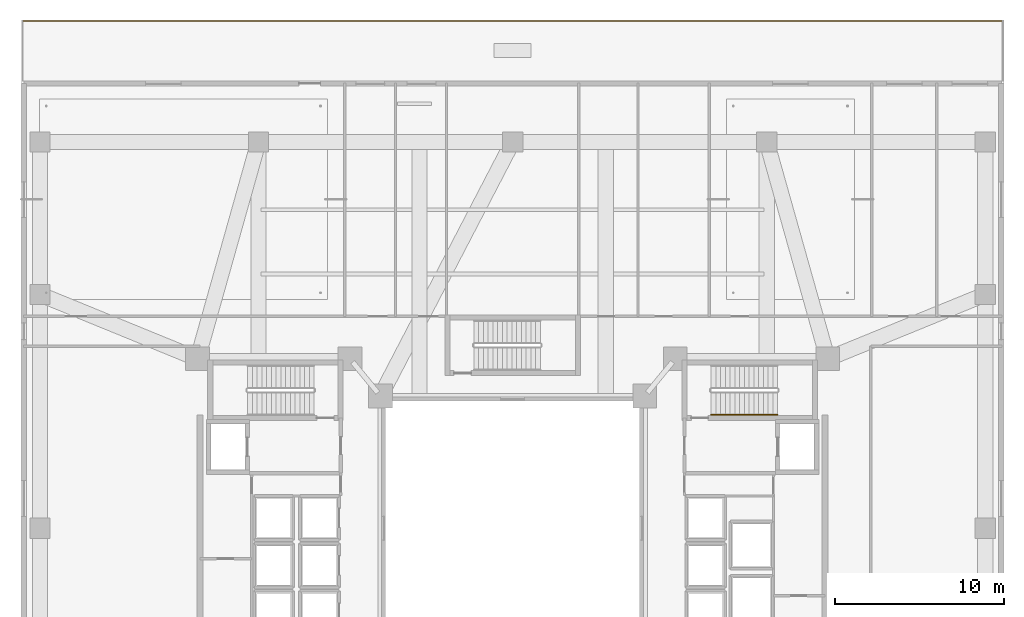
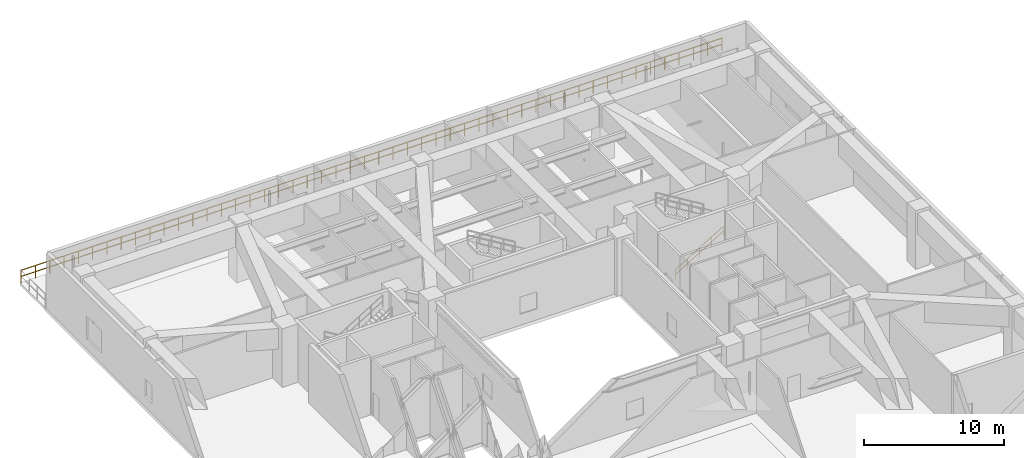
# One storey, part 20 of 21: 2 railings.
"""IFC4 building model written with IfcOpenShell, lengths in metres."""

from ifc_helpers import new_model, si_unit, direction, frame, origin, origin_2d, place, context, subcontext, project, spatial, circle, extrude, material, type_object, element, save


model = new_model("IFC4")

# Units and contexts
model_context = context("Model", 3, precision=1e-05, world=origin(), true_north=direction((0.0, 1.0)))
body_context = subcontext(model_context, "Body", "Model", "MODEL_VIEW")
ifc_project = project(units=[si_unit("LENGTHUNIT", "METRE"), si_unit("AREAUNIT", "SQUARE_METRE"), si_unit("VOLUMEUNIT", "CUBIC_METRE"), si_unit("PLANEANGLEUNIT", "RADIAN"), si_unit("MASSUNIT", "GRAM", prefix="KILO")], contexts=[model_context])

# Site, building, storey
site_placement = place(None, origin())
site = spatial("IfcSite", under=ifc_project, at=site_placement, CompositionType="ELEMENT")
building_placement = place(site_placement, origin())
building = spatial("IfcBuilding", under=site, at=building_placement, Name="Tarnavaz Court Tower", CompositionType="ELEMENT")
storey_placement = place(building_placement, frame((0.0, 0.0, 18.89990234375)))
storey = spatial("IfcBuildingStorey", under=building, at=storey_placement, Name="L04", CompositionType="ELEMENT", Elevation=18.89990234375)

# Railings
ifc_material_1 = material(Name="Anodised Aluminium 6063-T6 and Laminated Safety Glass", Category="aluminium")
railing_type_1 = type_object("IfcRailingType", Name="RL-BAL-1120", PredefinedType="BALUSTRADE", material=ifc_material_1)
railing_1_placement = place(storey_placement, frame((28.93994140625, 29.93994140625, 0.0)))
element("IfcRailing", 1, at=railing_1_placement, inside=storey, type_object=railing_type_1, Name="L04 Terrace 1 N Perimeter Balustrade", PredefinedType="BALUSTRADE", context=body_context, shape_type="SweptSolid", body=[
    extrude(circle(Radius=0.02392578125, at=origin_2d()), frame((0.0, 0.0, 1.09619140625), z_axis=(-1.0, 0.0, 0.0), x_axis=(0.0, -1.0, 0.0)), (0.0, 0.0, 1.0), 57.8798828125),
    extrude(circle(Radius=0.02392578125, at=origin_2d()), frame((0.0, 0.0, 0.56005859375), z_axis=(-1.0, 0.0, 0.0), x_axis=(0.0, -1.0, 0.0)), (0.0, 0.0, 1.0), 57.8798828125),
    extrude(circle(Radius=0.02099609375, at=origin_2d()), origin(), (0.0, 0.0, 1.0), 1.072021484375),
    extrude(circle(Radius=0.02099609375, at=origin_2d()), frame((-1.18115234375, 0.0, 0.0)), (0.0, 0.0, 1.0), 1.072021484375),
    extrude(circle(Radius=0.02099609375, at=origin_2d()), frame((-2.362548828125, 0.0, 0.0)), (0.0, 0.0, 1.0), 1.072021484375),
    extrude(circle(Radius=0.02099609375, at=origin_2d()), frame((-3.543701171875, 0.0, 0.0)), (0.0, 0.0, 1.0), 1.072021484375),
    extrude(circle(Radius=0.02099609375, at=origin_2d()), frame((-4.724853515625, 0.0, 0.0)), (0.0, 0.0, 1.0), 1.072021484375),
    extrude(circle(Radius=0.02099609375, at=origin_2d()), frame((-5.906005859375, 0.0, 0.0)), (0.0, 0.0, 1.0), 1.072021484375),
    extrude(circle(Radius=0.02099609375, at=origin_2d()), frame((-7.08740234375, 0.0, 0.0)), (0.0, 0.0, 1.0), 1.072021484375),
    extrude(circle(Radius=0.02099609375, at=origin_2d()), frame((-8.2685546875, 0.0, 0.0)), (0.0, 0.0, 1.0), 1.072021484375),
    extrude(circle(Radius=0.02099609375, at=origin_2d()), frame((-9.44970703125, 0.0, 0.0)), (0.0, 0.0, 1.0), 1.072021484375),
    extrude(circle(Radius=0.02099609375, at=origin_2d()), frame((-10.631103515625, 0.0, 0.0)), (0.0, 0.0, 1.0), 1.072021484375),
    extrude(circle(Radius=0.02099609375, at=origin_2d()), frame((-11.812255859375, 0.0, 0.0)), (0.0, 0.0, 1.0), 1.072021484375),
    extrude(circle(Radius=0.02099609375, at=origin_2d()), frame((-12.993408203125, 0.0, 0.0)), (0.0, 0.0, 1.0), 1.072021484375),
    extrude(circle(Radius=0.02099609375, at=origin_2d()), frame((-14.174560546875, 0.0, 0.0)), (0.0, 0.0, 1.0), 1.072021484375),
    extrude(circle(Radius=0.02099609375, at=origin_2d()), frame((-15.35595703125, 0.0, 0.0)), (0.0, 0.0, 1.0), 1.072021484375),
    extrude(circle(Radius=0.02099609375, at=origin_2d()), frame((-16.537109375, 0.0, 0.0)), (0.0, 0.0, 1.0), 1.072021484375),
    extrude(circle(Radius=0.02099609375, at=origin_2d()), frame((-17.71826171875, 0.0, 0.0)), (0.0, 0.0, 1.0), 1.072021484375),
    extrude(circle(Radius=0.02099609375, at=origin_2d()), frame((-18.899658203125, 0.0, 0.0)), (0.0, 0.0, 1.0), 1.072021484375),
    extrude(circle(Radius=0.02099609375, at=origin_2d()), frame((-20.080810546875, 0.0, 0.0)), (0.0, 0.0, 1.0), 1.072021484375),
    extrude(circle(Radius=0.02099609375, at=origin_2d()), frame((-21.261962890625, 0.0, 0.0)), (0.0, 0.0, 1.0), 1.072021484375),
    extrude(circle(Radius=0.02099609375, at=origin_2d()), frame((-22.443115234375, 0.0, 0.0)), (0.0, 0.0, 1.0), 1.072021484375),
    extrude(circle(Radius=0.02099609375, at=origin_2d()), frame((-23.62451171875, 0.0, 0.0)), (0.0, 0.0, 1.0), 1.072021484375),
    extrude(circle(Radius=0.02099609375, at=origin_2d()), frame((-24.8056640625, 0.0, 0.0)), (0.0, 0.0, 1.0), 1.072021484375),
    extrude(circle(Radius=0.02099609375, at=origin_2d()), frame((-25.98681640625, 0.0, 0.0)), (0.0, 0.0, 1.0), 1.072021484375),
    extrude(circle(Radius=0.02099609375, at=origin_2d()), frame((-27.168212890625, 0.0, 0.0)), (0.0, 0.0, 1.0), 1.072021484375),
    extrude(circle(Radius=0.02099609375, at=origin_2d()), frame((-28.349365234375, 0.0, 0.0)), (0.0, 0.0, 1.0), 1.072021484375),
    extrude(circle(Radius=0.02099609375, at=origin_2d()), frame((-29.530517578125, 0.0, 0.0)), (0.0, 0.0, 1.0), 1.072021484375),
    extrude(circle(Radius=0.02099609375, at=origin_2d()), frame((-30.711669921875, 0.0, 0.0)), (0.0, 0.0, 1.0), 1.072021484375),
    extrude(circle(Radius=0.02099609375, at=origin_2d()), frame((-31.89306640625, 0.0, 0.0)), (0.0, 0.0, 1.0), 1.072021484375),
    extrude(circle(Radius=0.02099609375, at=origin_2d()), frame((-33.07421875, 0.0, 0.0)), (0.0, 0.0, 1.0), 1.072021484375),
    extrude(circle(Radius=0.02099609375, at=origin_2d()), frame((-34.25537109375, 0.0, 0.0)), (0.0, 0.0, 1.0), 1.072021484375),
    extrude(circle(Radius=0.02099609375, at=origin_2d()), frame((-35.436767578125, 0.0, 0.0)), (0.0, 0.0, 1.0), 1.072021484375),
    extrude(circle(Radius=0.02099609375, at=origin_2d()), frame((-36.617919921875, 0.0, 0.0)), (0.0, 0.0, 1.0), 1.072021484375),
    extrude(circle(Radius=0.02099609375, at=origin_2d()), frame((-37.799072265625, 0.0, 0.0)), (0.0, 0.0, 1.0), 1.072021484375),
    extrude(circle(Radius=0.02099609375, at=origin_2d()), frame((-38.980224609375, 0.0, 0.0)), (0.0, 0.0, 1.0), 1.072021484375),
    extrude(circle(Radius=0.02099609375, at=origin_2d()), frame((-40.16162109375, 0.0, 0.0)), (0.0, 0.0, 1.0), 1.072021484375),
    extrude(circle(Radius=0.02099609375, at=origin_2d()), frame((-41.3427734375, 0.0, 0.0)), (0.0, 0.0, 1.0), 1.072021484375),
    extrude(circle(Radius=0.02099609375, at=origin_2d()), frame((-42.52392578125, 0.0, 0.0)), (0.0, 0.0, 1.0), 1.072021484375),
    extrude(circle(Radius=0.02099609375, at=origin_2d()), frame((-43.705322265625, 0.0, 0.0)), (0.0, 0.0, 1.0), 1.072021484375),
    extrude(circle(Radius=0.02099609375, at=origin_2d()), frame((-44.886474609375, 0.0, 0.0)), (0.0, 0.0, 1.0), 1.072021484375),
    extrude(circle(Radius=0.02099609375, at=origin_2d()), frame((-46.067626953125, 0.0, 0.0)), (0.0, 0.0, 1.0), 1.072021484375),
    extrude(circle(Radius=0.02099609375, at=origin_2d()), frame((-47.248779296875, 0.0, 0.0)), (0.0, 0.0, 1.0), 1.072021484375),
    extrude(circle(Radius=0.02099609375, at=origin_2d()), frame((-48.43017578125, 0.0, 0.0)), (0.0, 0.0, 1.0), 1.072021484375),
    extrude(circle(Radius=0.02099609375, at=origin_2d()), frame((-49.611328125, 0.0, 0.0)), (0.0, 0.0, 1.0), 1.072021484375),
    extrude(circle(Radius=0.02099609375, at=origin_2d()), frame((-50.79248046875, 0.0, 0.0)), (0.0, 0.0, 1.0), 1.072021484375),
    extrude(circle(Radius=0.02099609375, at=origin_2d()), frame((-51.973876953125, 0.0, 0.0)), (0.0, 0.0, 1.0), 1.072021484375),
    extrude(circle(Radius=0.02099609375, at=origin_2d()), frame((-53.155029296875, 0.0, 0.0)), (0.0, 0.0, 1.0), 1.072021484375),
    extrude(circle(Radius=0.02099609375, at=origin_2d()), frame((-54.336181640625, 0.0, 0.0)), (0.0, 0.0, 1.0), 1.072021484375),
    extrude(circle(Radius=0.02099609375, at=origin_2d()), frame((-55.517333984375, 0.0, 0.0)), (0.0, 0.0, 1.0), 1.072021484375),
    extrude(circle(Radius=0.02099609375, at=origin_2d()), frame((-56.69873046875, 0.0, 0.0)), (0.0, 0.0, 1.0), 1.072021484375),
    extrude(circle(Radius=0.02099609375, at=origin_2d()), frame((-57.8798828125, 0.0, 0.0)), (0.0, 0.0, 1.0), 1.072021484375),
])
ifc_material_2 = material(Name="Brushed Stainless Steel", Category="steel")
railing_type_2 = type_object("IfcRailingType", Name="RL-HANDRAIL-900", PredefinedType="HANDRAIL", material=ifc_material_2)
railing_2_placement = place(storey_placement, frame((11.719970703125, 6.699951171875, 0.170166015625)))
element("IfcRailing", 2, at=railing_2_placement, inside=storey, type_object=railing_type_2, Name="L04 ST-E1 stair handrail 1", PredefinedType="HANDRAIL", context=body_context, shape_type="SweptSolid", body=[
    extrude(circle(Radius=0.02392578125, at=origin_2d()), frame((0.0, 0.0, 0.8759765625), z_axis=(0.854794262968, 0.0, 0.518967020143), x_axis=(0.0, 1.0, 0.0)), (0.0, 0.0, 1.0), 4.585693359375),
    extrude(circle(Radius=0.02392578125, at=origin_2d()), frame((0.0, 0.0, 0.449951171875), z_axis=(0.854794262968, 0.0, 0.518967020143), x_axis=(0.0, 1.0, 0.0)), (0.0, 0.0, 1.0), 4.585693359375),
    extrude(circle(Radius=0.02099609375, at=origin_2d()), origin(), (0.0, 0.0, 1.0), 0.851806640625),
    extrude(circle(Radius=0.02099609375, at=origin_2d()), frame((0.97998046875, 0.0, 0.594970703125)), (0.0, 0.0, 1.0), 0.851806640625),
    extrude(circle(Radius=0.02099609375, at=origin_2d()), frame((1.9599609375, 0.0, 1.18994140625)), (0.0, 0.0, 1.0), 0.851806640625),
    extrude(circle(Radius=0.02099609375, at=origin_2d()), frame((2.93994140625, 0.0, 1.784912109375)), (0.0, 0.0, 1.0), 0.851806640625),
    extrude(circle(Radius=0.02099609375, at=origin_2d()), frame((3.919921875, 0.0, 2.3798828125)), (0.0, 0.0, 1.0), 0.851806640625),
])

save(model, "model.ifc")
